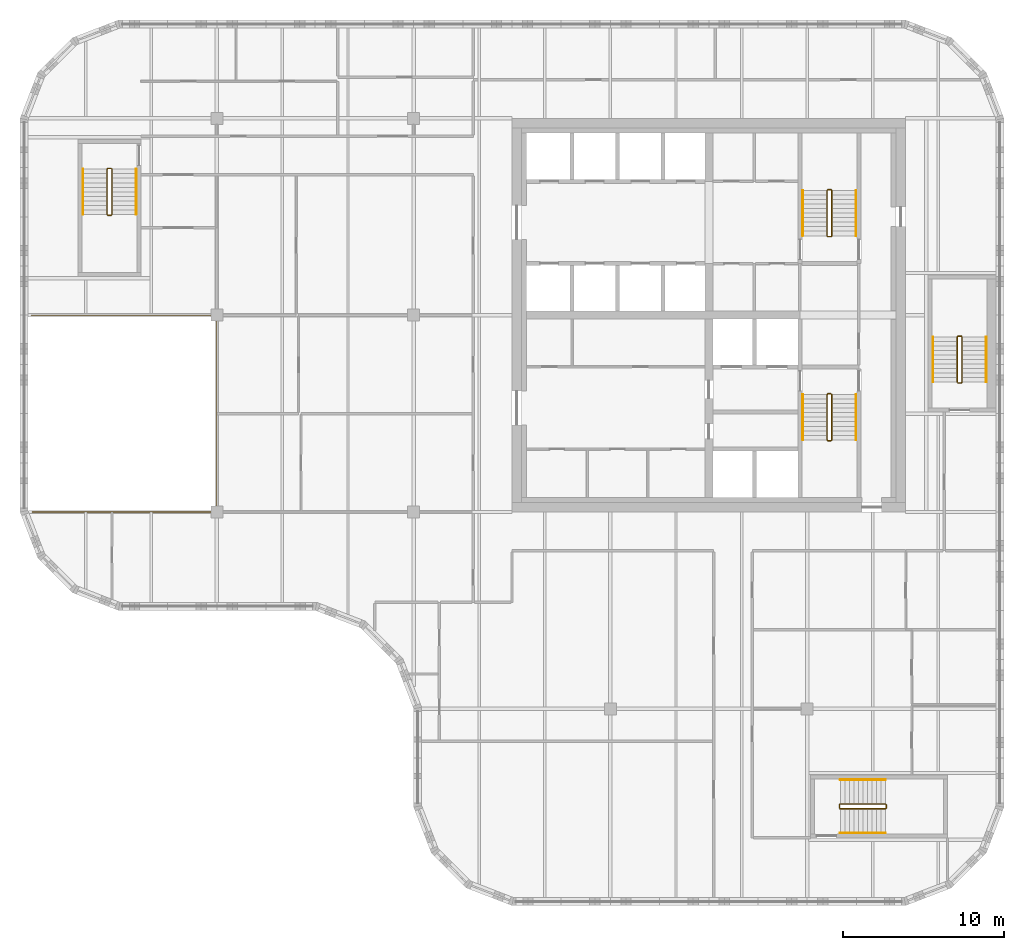
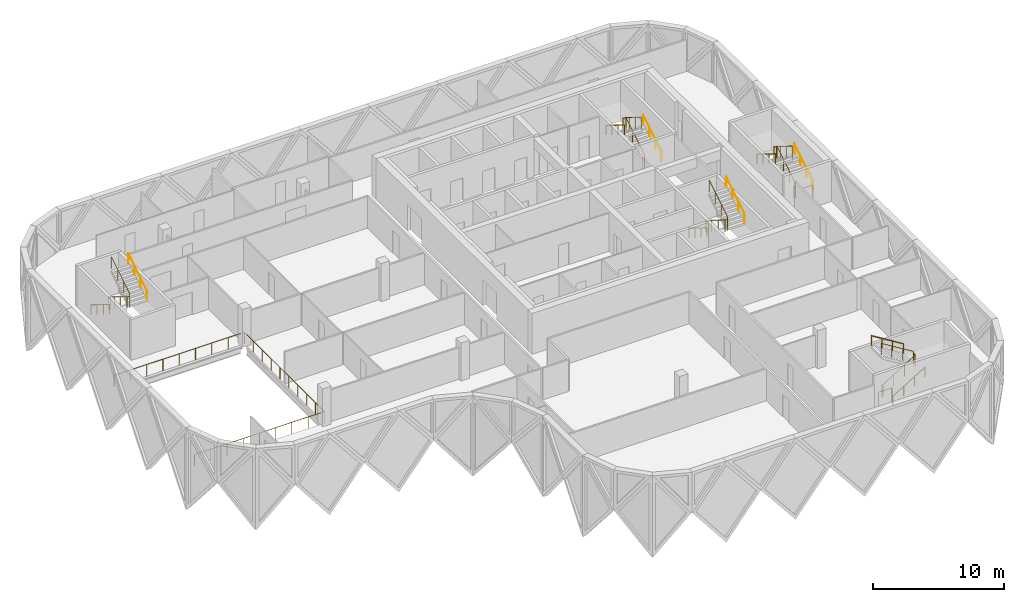
# One storey, part 15 of 15: 16 railings.
"""IFC4 building model written with IfcOpenShell, lengths in metres."""

import ifcopenshell
import ifcopenshell.guid

model = None  # the IFC model being written
_history = None  # IfcOwnerHistory: only IFC2X3 demands one
_inside = {}  # id of a spatial element -> (the spatial element, [elements in it])
_under = {}  # id of a project, library or spatial element -> (it, [spatial elements below it])
_declared = {}  # id of a project -> (the project, [libraries it declares])
_typed = {}  # id of a type object -> (the type object, [elements of that type])
_made_of = {}  # id of a material, layer set ... -> (it, [elements and type objects made of it])


def new_model(schema):
    """Start an empty IFC model of exactly this schema.

    Asked for "IFC4X3", IfcOpenShell would pick the latest addendum, in which some entities
    have other attributes; the version numbers below select the first issue.
    IFC2X3 requires an IfcOwnerHistory on every rooted entity: one is made here for all.
    """
    global model, _history
    if schema == "IFC4X3":
        model = ifcopenshell.file(schema_version=(4, 3, 0, 0))
    else:
        model = ifcopenshell.file(schema=schema)
    _inside.clear()
    _under.clear()
    _declared.clear()
    _typed.clear()
    _made_of.clear()
    _history = None
    if model.schema == "IFC2X3":
        org = make("IfcOrganization", Name="unknown")
        user = make(
            "IfcPersonAndOrganization",
            ThePerson=make("IfcPerson", FamilyName="unknown"),
            TheOrganization=org,
        )
        app = make(
            "IfcApplication",
            ApplicationDeveloper=org,
            Version="unknown",
            ApplicationFullName="unknown",
            ApplicationIdentifier="unknown",
        )
        _history = make(
            "IfcOwnerHistory",
            OwningUser=user,
            OwningApplication=app,
            ChangeAction="ADDED",
            CreationDate=0,
        )
    return model


def make(cls, **values):
    """One entity of the class cls with the attributes given. An attribute that is None is left unset."""
    return model.create_entity(
        cls, **{name: value for name, value in values.items() if value is not None}
    )


def rooted(cls, **values):
    """An entity with a GlobalId (a new one), such as an element, a storey or a relation."""
    return make(cls, GlobalId=ifcopenshell.guid.new(), OwnerHistory=_history, **values)


def si_unit(unit_type, name, prefix=None):
    """IfcSIUnit, for example si_unit("LENGTHUNIT", "METRE", prefix="MILLI")."""
    return make("IfcSIUnit", UnitType=unit_type, Prefix=prefix, Name=name)


def assignment(units):
    """IfcUnitAssignment: the units of a project."""
    return None if units is None else make("IfcUnitAssignment", Units=units)


def point(xyz):
    """IfcCartesianPoint."""
    return None if xyz is None else make("IfcCartesianPoint", Coordinates=xyz)


def direction(xyz):
    """IfcDirection."""
    return None if xyz is None else make("IfcDirection", DirectionRatios=xyz)


def frame(location, z_axis=None, x_axis=None):
    """IfcAxis2Placement3D, a coordinate frame: its origin and axes. An axis left out is left unset."""
    return make(
        "IfcAxis2Placement3D",
        Location=point(location),
        Axis=direction(z_axis),
        RefDirection=direction(x_axis),
    )


def frame_2d(location, x_axis=None):
    """IfcAxis2Placement2D, a coordinate frame in the plane: its origin and x axis."""
    return make(
        "IfcAxis2Placement2D", Location=point(location), RefDirection=direction(x_axis)
    )


def origin():
    """The frame at (0, 0, 0) with its axes left unset."""
    return frame((0.0, 0.0, 0.0))


def origin_2d():
    """The frame at (0, 0) in the plane with its x axis left unset."""
    return frame_2d((0.0, 0.0))


def place(relative_to, where):
    """IfcLocalPlacement: puts the frame where relative to a parent placement (None: the world)."""
    return make(
        "IfcLocalPlacement", PlacementRelTo=relative_to, RelativePlacement=where
    )


def context(
    kind, dimensions, precision=None, world=None, true_north=None, identifier=None
):
    """IfcGeometricRepresentationContext, for example the 3D "Model" context."""
    return make(
        "IfcGeometricRepresentationContext",
        ContextIdentifier=identifier,
        ContextType=kind,
        CoordinateSpaceDimension=dimensions,
        Precision=precision,
        WorldCoordinateSystem=world,
        TrueNorth=true_north,
    )


def subcontext(parent, identifier, kind, view, scale=None):
    """IfcGeometricRepresentationSubContext, for example "Body" below "Model"."""
    return make(
        "IfcGeometricRepresentationSubContext",
        ContextIdentifier=identifier,
        ContextType=kind,
        ParentContext=parent,
        TargetScale=scale,
        TargetView=view,
    )


def project(units=None, contexts=None):
    """IfcProject with its units and contexts."""
    return rooted(
        "IfcProject",
        Name="project",
        RepresentationContexts=contexts,
        UnitsInContext=assignment(units),
    )


def spatial(cls, under=None, at=None, **own):
    """A site, building, storey or space (cls), placed at a placement, below another one or the project."""
    s = rooted(cls, ObjectPlacement=at, **own)
    if under is not None:
        _under.setdefault(under.id(), (under, []))[1].append(s)
    return s


def profile(cls, at=None, kind="AREA", **sizes):
    """A parametric profile (cls). Its sizes go by their IFC names, for example OverallWidth=200.0."""
    return make(cls, ProfileType=kind, Position=at, **sizes)


def circle(**sizes):
    """IfcCircleProfileDef."""
    return profile("IfcCircleProfileDef", **sizes)


def extrude(swept, where, along, depth):
    """IfcExtrudedAreaSolid: the profile swept, set in the frame where, extruded along a direction by depth."""
    return make(
        "IfcExtrudedAreaSolid",
        SweptArea=swept,
        Position=where,
        ExtrudedDirection=direction(along),
        Depth=depth,
    )


def shape(context_of_items, identifier, shape_type, items):
    """IfcShapeRepresentation: the items that make up one representation, for example the "Body"."""
    return make(
        "IfcShapeRepresentation",
        ContextOfItems=context_of_items,
        RepresentationIdentifier=identifier,
        RepresentationType=shape_type,
        Items=items,
    )


def material(Name=None, Category=None):
    """IfcMaterial."""
    return make("IfcMaterial", Name=Name, Category=Category)


def made_of(thing, what):
    """Note that an element or type object is made of a material, layer set ...; save() writes the relation."""
    if what is not None:
        _made_of.setdefault(what.id(), (what, []))[1].append(thing)
    return thing


def type_object(cls, material=None, **own):
    """A type object (cls), such as IfcWallType, which elements share."""
    return made_of(rooted(cls, **own), material)


def element(
    cls,
    number,
    at=None,
    inside=None,
    cuts=None,
    type_object=None,
    material=None,
    context=None,
    identifier="Body",
    shape_type=None,
    held_by="IfcProductDefinitionShape",
    body=None,
    shapes=None,
    **own,
):
    """One element of the class cls, such as IfcWall. Its Tag is "e" and its number.

    at: its placement. inside: the storey or other place that contains it. cuts: it is an
    opening in that element (IfcRelVoidsElement). A single representation is given by context,
    identifier, shape_type and body (its items); several are given by shapes. held_by: the class
    of the entity that holds the representations. save() writes the other relations.
    """
    e = rooted(cls, Tag="e%d" % number, ObjectPlacement=at, **own)
    if body is not None:
        shapes = [shape(context, identifier, shape_type, body)]
    if shapes is not None:
        e.Representation = make(held_by, Representations=shapes)
    if inside is not None:
        _inside.setdefault(inside.id(), (inside, []))[1].append(e)
    if cuts is not None:
        rooted(
            "IfcRelVoidsElement", RelatingBuildingElement=cuts, RelatedOpeningElement=e
        )
    if type_object is not None:
        _typed.setdefault(type_object.id(), (type_object, []))[1].append(e)
    return made_of(e, material)


def aggregate(whole, parts):
    """IfcRelAggregates: a whole, such as a stair, and the parts it consists of."""
    return rooted("IfcRelAggregates", RelatingObject=whole, RelatedObjects=parts)


def save(model, path):
    """Write the relations noted so far, then the file.

    IfcRelAggregates (storeys below a building ...), IfcRelContainedInSpatialStructure (elements
    in a storey), IfcRelDefinesByType, IfcRelAssociatesMaterial and IfcRelDeclares: one each for
    every whole, place, type object, material and project.
    """
    for whole, parts in _under.values():
        aggregate(whole, parts)
    for where, things in _inside.values():
        rooted(
            "IfcRelContainedInSpatialStructure",
            RelatedElements=things,
            RelatingStructure=where,
        )
    for kind, things in _typed.values():
        rooted("IfcRelDefinesByType", RelatedObjects=things, RelatingType=kind)
    for what, things in _made_of.values():
        rooted("IfcRelAssociatesMaterial", RelatedObjects=things, RelatingMaterial=what)
    for by, libraries in _declared.values():
        rooted("IfcRelDeclares", RelatingContext=by, RelatedDefinitions=libraries)
    model.write(path)


model = new_model("IFC4")

# Units and contexts
model_context = context("Model", 3, precision=1e-05, world=origin(), true_north=direction((0.0, 1.0)))
body_context = subcontext(model_context, "Body", "Model", "MODEL_VIEW")
ifc_project = project(units=[si_unit("LENGTHUNIT", "METRE"), si_unit("AREAUNIT", "SQUARE_METRE"), si_unit("VOLUMEUNIT", "CUBIC_METRE"), si_unit("PLANEANGLEUNIT", "RADIAN"), si_unit("MASSUNIT", "GRAM", prefix="KILO")], contexts=[model_context])

# Site, building, storey
site_placement = place(None, origin())
site = spatial("IfcSite", under=ifc_project, at=site_placement, CompositionType="ELEMENT")
building_placement = place(site_placement, origin())
building = spatial("IfcBuilding", under=site, at=building_placement, Name="Tessera Gate Towers", CompositionType="ELEMENT")
storey_placement = place(building_placement, frame((0.0, 0.0, 189.60009765625)))
storey = spatial("IfcBuildingStorey", under=building, at=storey_placement, Name="L47", CompositionType="ELEMENT", Elevation=189.60009765625)

# Railings
ifc_material_1 = material(Name="Toughened glass with stainless steel handrail", Category="steel")
railing_type_1 = type_object("IfcRailingType", Name="GUARD 1100 GLASS BALUSTRADE", PredefinedType="GUARDRAIL", material=ifc_material_1)
railing_1_placement = place(storey_placement, frame((0.750244140625, 24.39990234375, 0.0)))
element("IfcRailing", 1, at=railing_1_placement, inside=storey, type_object=railing_type_1, Name="Guard", PredefinedType="GUARDRAIL", context=body_context, shape_type="SweptSolid", body=[
    extrude(circle(Radius=0.02490234375, at=origin_2d()), frame((0.0, 0.0, 1.0751953125), z_axis=(1.0, 0.0, 0.0), x_axis=(0.0, 1.0, 0.0)), (0.0, 0.0, 1.0), 11.44970703125),
    extrude(circle(Radius=0.02490234375, at=origin_2d()), frame((11.44970703125, 0.0, 1.0751953125), z_axis=(0.0, 1.0, 0.0), x_axis=(-1.0, 0.0, 0.0)), (0.0, 0.0, 1.0), 12.2001953125),
    extrude(circle(Radius=0.02490234375, at=origin_2d()), frame((11.44970703125, 12.2001953125, 1.0751953125), z_axis=(-1.0, 0.0, 0.0), x_axis=(0.0, -1.0, 0.0)), (0.0, 0.0, 1.0), 11.5),
    extrude(circle(Radius=0.02490234375, at=origin_2d()), origin(), (0.0, 0.0, 1.0), 1.050048828125),
    extrude(circle(Radius=0.02490234375, at=origin_2d()), frame((1.43115234375, 0.0, 0.0)), (0.0, 0.0, 1.0), 1.050048828125),
    extrude(circle(Radius=0.02490234375, at=origin_2d()), frame((2.8623046875, 0.0, 0.0)), (0.0, 0.0, 1.0), 1.050048828125),
    extrude(circle(Radius=0.02490234375, at=origin_2d()), frame((4.293701171875, 0.0, 0.0)), (0.0, 0.0, 1.0), 1.050048828125),
    extrude(circle(Radius=0.02490234375, at=origin_2d()), frame((5.724853515625, 0.0, 0.0)), (0.0, 0.0, 1.0), 1.050048828125),
    extrude(circle(Radius=0.02490234375, at=origin_2d()), frame((7.156005859375, 0.0, 0.0)), (0.0, 0.0, 1.0), 1.050048828125),
    extrude(circle(Radius=0.02490234375, at=origin_2d()), frame((8.58740234375, 0.0, 0.0)), (0.0, 0.0, 1.0), 1.050048828125),
    extrude(circle(Radius=0.02490234375, at=origin_2d()), frame((10.0185546875, 0.0, 0.0)), (0.0, 0.0, 1.0), 1.050048828125),
    extrude(circle(Radius=0.02490234375, at=origin_2d()), frame((11.44970703125, 0.0, 0.0)), (0.0, 0.0, 1.0), 1.050048828125),
    extrude(circle(Radius=0.02490234375, at=origin_2d()), frame((11.44970703125, 1.35546875, 0.0)), (0.0, 0.0, 1.0), 1.050048828125),
    extrude(circle(Radius=0.02490234375, at=origin_2d()), frame((11.44970703125, 2.711181640625, 0.0)), (0.0, 0.0, 1.0), 1.050048828125),
    extrude(circle(Radius=0.02490234375, at=origin_2d()), frame((11.44970703125, 4.066650390625, 0.0)), (0.0, 0.0, 1.0), 1.050048828125),
    extrude(circle(Radius=0.02490234375, at=origin_2d()), frame((11.44970703125, 5.42236328125, 0.0)), (0.0, 0.0, 1.0), 1.050048828125),
    extrude(circle(Radius=0.02490234375, at=origin_2d()), frame((11.44970703125, 6.77783203125, 0.0)), (0.0, 0.0, 1.0), 1.050048828125),
    extrude(circle(Radius=0.02490234375, at=origin_2d()), frame((11.44970703125, 8.133544921875, 0.0)), (0.0, 0.0, 1.0), 1.050048828125),
    extrude(circle(Radius=0.02490234375, at=origin_2d()), frame((11.44970703125, 9.489013671875, 0.0)), (0.0, 0.0, 1.0), 1.050048828125),
    extrude(circle(Radius=0.02490234375, at=origin_2d()), frame((11.44970703125, 10.8447265625, 0.0)), (0.0, 0.0, 1.0), 1.050048828125),
    extrude(circle(Radius=0.02490234375, at=origin_2d()), frame((11.44970703125, 12.2001953125, 0.0)), (0.0, 0.0, 1.0), 1.050048828125),
    extrude(circle(Radius=0.02490234375, at=origin_2d()), frame((10.01220703125, 12.2001953125, 0.0)), (0.0, 0.0, 1.0), 1.050048828125),
    extrude(circle(Radius=0.02490234375, at=origin_2d()), frame((8.57470703125, 12.2001953125, 0.0)), (0.0, 0.0, 1.0), 1.050048828125),
    extrude(circle(Radius=0.02490234375, at=origin_2d()), frame((7.13720703125, 12.2001953125, 0.0)), (0.0, 0.0, 1.0), 1.050048828125),
    extrude(circle(Radius=0.02490234375, at=origin_2d()), frame((5.69970703125, 12.2001953125, 0.0)), (0.0, 0.0, 1.0), 1.050048828125),
    extrude(circle(Radius=0.02490234375, at=origin_2d()), frame((4.26220703125, 12.2001953125, 0.0)), (0.0, 0.0, 1.0), 1.050048828125),
    extrude(circle(Radius=0.02490234375, at=origin_2d()), frame((2.82470703125, 12.2001953125, 0.0)), (0.0, 0.0, 1.0), 1.050048828125),
    extrude(circle(Radius=0.02490234375, at=origin_2d()), frame((1.38720703125, 12.2001953125, 0.0)), (0.0, 0.0, 1.0), 1.050048828125),
    extrude(circle(Radius=0.02490234375, at=origin_2d()), frame((-0.05029296875, 12.2001953125, 0.0)), (0.0, 0.0, 1.0), 1.050048828125),
])
ifc_material_2 = material(Name="Steel 350W", Category="steel")
railing_type_2 = type_object("IfcRailingType", Name="STAIR GUARD 1100", PredefinedType="GUARDRAIL", material=ifc_material_2)
railing_2_placement = place(storey_placement, frame((50.27490234375, 31.72509765625, 0.0)))
element("IfcRailing", 2, at=railing_2_placement, inside=storey, type_object=railing_type_2, Name="L47 ST1 stair guard 1", PredefinedType="GUARDRAIL", context=body_context, shape_type="SweptSolid", body=[
    extrude(circle(Radius=0.02392578125, at=origin_2d()), frame((0.0, 0.0, 1.076171875), z_axis=(-1.0, 0.0, 0.0), x_axis=(0.0, -1.0, 0.0)), (0.0, 0.0, 1.0), 0.199951171875),
    extrude(circle(Radius=0.02392578125, at=origin_2d()), frame((-0.199951171875, 0.0, 1.076171875), z_axis=(-0.268277960024, -0.268277960024, 0.925231793839), x_axis=(0.707106781187, -0.707106781187, 0.0)), (0.0, 0.0, 1.0), 0.1865234375),
    extrude(circle(Radius=0.02392578125, at=origin_2d()), frame((-0.25, -0.050048828125, 1.24853515625), z_axis=(0.0, -0.851089632645, 0.525020415988), x_axis=(1.0, 0.0, 0.0)), (0.0, 0.0, 1.0), 3.2900390625),
    extrude(circle(Radius=0.02392578125, at=origin_2d()), frame((-0.25, -2.85009765625, 2.97607421875), z_axis=(0.707106781187, -0.707106781187, 0.0), x_axis=(0.707106781187, 0.707106781187, 0.0)), (0.0, 0.0, 1.0), 0.07080078125),
    extrude(circle(Radius=0.02392578125, at=origin_2d()), frame((-0.199951171875, -2.900146484375, 2.97607421875), z_axis=(1.0, 0.0, 0.0), x_axis=(0.0, 1.0, 0.0)), (0.0, 0.0, 1.0), 0.199951171875),
    extrude(circle(Radius=0.02392578125, at=origin_2d()), frame((0.0, -2.900146484375, 2.97607421875), z_axis=(0.268277960024, 0.268277960024, 0.925231793839), x_axis=(-0.707106781187, 0.707106781187, 0.0)), (0.0, 0.0, 1.0), 0.1865234375),
    extrude(circle(Radius=0.02392578125, at=origin_2d()), frame((0.050048828125, -2.85009765625, 3.1484375), z_axis=(0.0, 0.851089632645, 0.525020415988), x_axis=(-1.0, 0.0, 0.0)), (0.0, 0.0, 1.0), 3.2900390625),
    extrude(circle(Radius=0.02099609375, at=origin_2d()), origin(), (0.0, 0.0, 1.0), 1.052001953125),
    extrude(circle(Radius=0.02099609375, at=origin_2d()), frame((-0.199951171875, 0.0, 0.0)), (0.0, 0.0, 1.0), 1.052001953125),
    extrude(circle(Radius=0.02099609375, at=origin_2d()), frame((-0.25, -0.050048828125, 0.172607421875)), (0.0, 0.0, 1.0), 1.052001953125),
    extrude(circle(Radius=0.02099609375, at=origin_2d()), frame((-0.25, -0.9833984375, 0.748291015625)), (0.0, 0.0, 1.0), 1.052001953125),
    extrude(circle(Radius=0.02099609375, at=origin_2d()), frame((-0.25, -1.916748046875, 1.32421875)), (0.0, 0.0, 1.0), 1.052001953125),
    extrude(circle(Radius=0.02099609375, at=origin_2d()), frame((-0.25, -2.85009765625, 1.89990234375)), (0.0, 0.0, 1.0), 1.052001953125),
    extrude(circle(Radius=0.02099609375, at=origin_2d()), frame((-0.199951171875, -2.900146484375, 1.89990234375)), (0.0, 0.0, 1.0), 1.052001953125),
    extrude(circle(Radius=0.02099609375, at=origin_2d()), frame((0.0, -2.900146484375, 1.89990234375)), (0.0, 0.0, 1.0), 1.052001953125),
    extrude(circle(Radius=0.02099609375, at=origin_2d()), frame((0.050048828125, -2.85009765625, 2.072509765625)), (0.0, 0.0, 1.0), 1.052001953125),
    extrude(circle(Radius=0.02099609375, at=origin_2d()), frame((0.050048828125, -1.916748046875, 2.648193359375)), (0.0, 0.0, 1.0), 1.052001953125),
    extrude(circle(Radius=0.02099609375, at=origin_2d()), frame((0.050048828125, -0.9833984375, 3.22412109375)), (0.0, 0.0, 1.0), 1.052001953125),
    extrude(circle(Radius=0.02099609375, at=origin_2d()), frame((0.050048828125, -0.050048828125, 3.7998046875)), (0.0, 0.0, 1.0), 1.052001953125),
])
railing_3_placement = place(storey_placement, frame((50.074951171875, 41.47509765625, 0.0)))
element("IfcRailing", 3, at=railing_3_placement, inside=storey, type_object=railing_type_2, Name="L47 ST2 stair guard 1", PredefinedType="GUARDRAIL", context=body_context, shape_type="SweptSolid", body=[
    extrude(circle(Radius=0.02392578125, at=origin_2d()), frame((0.0, 0.0, 1.076171875), z_axis=(1.0, 0.0, 0.0), x_axis=(0.0, 1.0, 0.0)), (0.0, 0.0, 1.0), 0.199951171875),
    extrude(circle(Radius=0.02392578125, at=origin_2d()), frame((0.199951171875, 0.0, 1.076171875), z_axis=(0.268371968888, 0.267062837333, 0.925556009775), x_axis=(-0.705375805398, 0.708833529934, 0.0)), (0.0, 0.0, 1.0), 0.1865234375),
    extrude(circle(Radius=0.02392578125, at=origin_2d()), frame((0.25, 0.0498046875, 1.24853515625), z_axis=(0.0, 0.851089632645, 0.525020415988), x_axis=(-1.0, 0.0, 0.0)), (0.0, 0.0, 1.0), 3.2900390625),
    extrude(circle(Radius=0.02392578125, at=origin_2d()), frame((0.25, 2.849853515625, 2.97607421875), z_axis=(-0.707106781187, 0.707106781187, 0.0), x_axis=(-0.707106781187, -0.707106781187, 0.0)), (0.0, 0.0, 1.0), 0.07080078125),
    extrude(circle(Radius=0.02392578125, at=origin_2d()), frame((0.199951171875, 2.89990234375, 2.97607421875), z_axis=(-1.0, 0.0, 0.0), x_axis=(0.0, -1.0, 0.0)), (0.0, 0.0, 1.0), 0.199951171875),
    extrude(circle(Radius=0.02392578125, at=origin_2d()), frame((0.0, 2.89990234375, 2.97607421875), z_axis=(-0.268277960024, -0.268277960024, 0.925231793839), x_axis=(0.707106781187, -0.707106781187, 0.0)), (0.0, 0.0, 1.0), 0.1865234375),
    extrude(circle(Radius=0.02392578125, at=origin_2d()), frame((-0.050048828125, 2.849853515625, 3.1484375), z_axis=(0.0, -0.851089632645, 0.525020415988), x_axis=(1.0, 0.0, 0.0)), (0.0, 0.0, 1.0), 3.2900390625),
    extrude(circle(Radius=0.02099609375, at=origin_2d()), origin(), (0.0, 0.0, 1.0), 1.052001953125),
    extrude(circle(Radius=0.02099609375, at=origin_2d()), frame((0.199951171875, 0.0, 0.0)), (0.0, 0.0, 1.0), 1.052001953125),
    extrude(circle(Radius=0.02099609375, at=origin_2d()), frame((0.25, 0.0498046875, 0.172607421875)), (0.0, 0.0, 1.0), 1.052001953125),
    extrude(circle(Radius=0.02099609375, at=origin_2d()), frame((0.25, 0.983154296875, 0.748291015625)), (0.0, 0.0, 1.0), 1.052001953125),
    extrude(circle(Radius=0.02099609375, at=origin_2d()), frame((0.25, 1.91650390625, 1.32421875)), (0.0, 0.0, 1.0), 1.052001953125),
    extrude(circle(Radius=0.02099609375, at=origin_2d()), frame((0.25, 2.849853515625, 1.89990234375)), (0.0, 0.0, 1.0), 1.052001953125),
    extrude(circle(Radius=0.02099609375, at=origin_2d()), frame((0.199951171875, 2.89990234375, 1.89990234375)), (0.0, 0.0, 1.0), 1.052001953125),
    extrude(circle(Radius=0.02099609375, at=origin_2d()), frame((0.0, 2.89990234375, 1.89990234375)), (0.0, 0.0, 1.0), 1.052001953125),
    extrude(circle(Radius=0.02099609375, at=origin_2d()), frame((-0.050048828125, 2.849853515625, 2.072509765625)), (0.0, 0.0, 1.0), 1.052001953125),
    extrude(circle(Radius=0.02099609375, at=origin_2d()), frame((-0.050048828125, 1.91650390625, 2.648193359375)), (0.0, 0.0, 1.0), 1.052001953125),
    extrude(circle(Radius=0.02099609375, at=origin_2d()), frame((-0.050048828125, 0.983154296875, 3.22412109375)), (0.0, 0.0, 1.0), 1.052001953125),
    extrude(circle(Radius=0.02099609375, at=origin_2d()), frame((-0.050048828125, 0.0498046875, 3.7998046875)), (0.0, 0.0, 1.0), 1.052001953125),
])
railing_4_placement = place(storey_placement, frame((5.64990234375, 45.699951171875, 0.0)))
element("IfcRailing", 4, at=railing_4_placement, inside=storey, type_object=railing_type_2, Name="L47 ST3 stair guard 1", PredefinedType="GUARDRAIL", context=body_context, shape_type="SweptSolid", body=[
    extrude(circle(Radius=0.02392578125, at=origin_2d()), frame((0.0, 0.0, 1.076171875), z_axis=(-1.0, 0.0, 0.0), x_axis=(0.0, -1.0, 0.0)), (0.0, 0.0, 1.0), 0.199951171875),
    extrude(circle(Radius=0.02392578125, at=origin_2d()), frame((-0.199951171875, 0.0, 1.076171875), z_axis=(-0.268277960024, -0.268277960024, 0.925231793839), x_axis=(0.707106781187, -0.707106781187, 0.0)), (0.0, 0.0, 1.0), 0.1865234375),
    extrude(circle(Radius=0.02392578125, at=origin_2d()), frame((-0.25, -0.050048828125, 1.24853515625), z_axis=(0.0, -0.851069175582, 0.525053576669), x_axis=(1.0, 0.0, 0.0)), (0.0, 0.0, 1.0), 3.289794921875),
    extrude(circle(Radius=0.02392578125, at=origin_2d()), frame((-0.25, -2.849853515625, 2.97607421875), z_axis=(0.707106781187, -0.707106781187, 0.0), x_axis=(0.707106781187, 0.707106781187, 0.0)), (0.0, 0.0, 1.0), 0.07080078125),
    extrude(circle(Radius=0.02392578125, at=origin_2d()), frame((-0.199951171875, -2.89990234375, 2.97607421875), z_axis=(1.0, 0.0, 0.0), x_axis=(0.0, 1.0, 0.0)), (0.0, 0.0, 1.0), 0.199951171875),
    extrude(circle(Radius=0.02392578125, at=origin_2d()), frame((0.0, -2.89990234375, 2.97607421875), z_axis=(0.268277960024, 0.268277960024, 0.925231793839), x_axis=(-0.707106781187, 0.707106781187, 0.0)), (0.0, 0.0, 1.0), 0.1865234375),
    extrude(circle(Radius=0.02392578125, at=origin_2d()), frame((0.050048828125, -2.849853515625, 3.1484375), z_axis=(0.0, 0.851069175582, 0.525053576669), x_axis=(-1.0, 0.0, 0.0)), (0.0, 0.0, 1.0), 3.289794921875),
    extrude(circle(Radius=0.02099609375, at=origin_2d()), origin(), (0.0, 0.0, 1.0), 1.052001953125),
    extrude(circle(Radius=0.02099609375, at=origin_2d()), frame((-0.199951171875, 0.0, 0.0)), (0.0, 0.0, 1.0), 1.052001953125),
    extrude(circle(Radius=0.02099609375, at=origin_2d()), frame((-0.25, -0.050048828125, 0.172607421875)), (0.0, 0.0, 1.0), 1.052001953125),
    extrude(circle(Radius=0.02099609375, at=origin_2d()), frame((-0.25, -0.9833984375, 0.748291015625)), (0.0, 0.0, 1.0), 1.052001953125),
    extrude(circle(Radius=0.02099609375, at=origin_2d()), frame((-0.25, -1.91650390625, 1.32421875)), (0.0, 0.0, 1.0), 1.052001953125),
    extrude(circle(Radius=0.02099609375, at=origin_2d()), frame((-0.25, -2.849853515625, 1.89990234375)), (0.0, 0.0, 1.0), 1.052001953125),
    extrude(circle(Radius=0.02099609375, at=origin_2d()), frame((-0.199951171875, -2.89990234375, 1.89990234375)), (0.0, 0.0, 1.0), 1.052001953125),
    extrude(circle(Radius=0.02099609375, at=origin_2d()), frame((0.0, -2.89990234375, 1.89990234375)), (0.0, 0.0, 1.0), 1.052001953125),
    extrude(circle(Radius=0.02099609375, at=origin_2d()), frame((0.050048828125, -2.849853515625, 2.072509765625)), (0.0, 0.0, 1.0), 1.052001953125),
    extrude(circle(Radius=0.02099609375, at=origin_2d()), frame((0.050048828125, -1.91650390625, 2.648193359375)), (0.0, 0.0, 1.0), 1.052001953125),
    extrude(circle(Radius=0.02099609375, at=origin_2d()), frame((0.050048828125, -0.9833984375, 3.22412109375)), (0.0, 0.0, 1.0), 1.052001953125),
    extrude(circle(Radius=0.02099609375, at=origin_2d()), frame((0.050048828125, -0.050048828125, 3.7998046875)), (0.0, 0.0, 1.0), 1.052001953125),
])
railing_5_placement = place(storey_placement, frame((50.800048828125, 6.25, 0.0)))
element("IfcRailing", 5, at=railing_5_placement, inside=storey, type_object=railing_type_2, Name="L47 ST4 stair guard 1", PredefinedType="GUARDRAIL", context=body_context, shape_type="SweptSolid", body=[
    extrude(circle(Radius=0.02392578125, at=origin_2d()), frame((0.0, 0.0, 1.076171875), z_axis=(0.0, -1.0, 0.0), x_axis=(1.0, 0.0, 0.0)), (0.0, 0.0, 1.0), 0.199951171875),
    extrude(circle(Radius=0.02392578125, at=origin_2d()), frame((0.0, -0.199951171875, 1.076171875), z_axis=(0.268277960024, -0.268277960024, 0.925231793839), x_axis=(0.707106781187, 0.707106781187, 0.0)), (0.0, 0.0, 1.0), 0.1865234375),
    extrude(circle(Radius=0.02392578125, at=origin_2d()), frame((0.050048828125, -0.25, 1.24853515625), z_axis=(0.851069175582, 0.0, 0.525053576669), x_axis=(0.0, 1.0, 0.0)), (0.0, 0.0, 1.0), 3.289794921875),
    extrude(circle(Radius=0.02392578125, at=origin_2d()), frame((2.849853515625, -0.25, 2.97607421875), z_axis=(0.707106781187, 0.707106781187, 0.0), x_axis=(-0.707106781187, 0.707106781187, 0.0)), (0.0, 0.0, 1.0), 0.07080078125),
    extrude(circle(Radius=0.02392578125, at=origin_2d()), frame((2.89990234375, -0.199951171875, 2.97607421875), z_axis=(0.0, 1.0, 0.0), x_axis=(-1.0, 0.0, 0.0)), (0.0, 0.0, 1.0), 0.199951171875),
    extrude(circle(Radius=0.02392578125, at=origin_2d()), frame((2.89990234375, 0.0, 2.97607421875), z_axis=(-0.268277960024, 0.268277960024, 0.925231793839), x_axis=(-0.707106781187, -0.707106781187, 0.0)), (0.0, 0.0, 1.0), 0.1865234375),
    extrude(circle(Radius=0.02392578125, at=origin_2d()), frame((2.849853515625, 0.050048828125, 3.1484375), z_axis=(-0.851069175582, 0.0, 0.525053576669), x_axis=(0.0, -1.0, 0.0)), (0.0, 0.0, 1.0), 3.289794921875),
    extrude(circle(Radius=0.02099609375, at=origin_2d()), origin(), (0.0, 0.0, 1.0), 1.052001953125),
    extrude(circle(Radius=0.02099609375, at=origin_2d()), frame((0.0, -0.199951171875, 0.0)), (0.0, 0.0, 1.0), 1.052001953125),
    extrude(circle(Radius=0.02099609375, at=origin_2d()), frame((0.050048828125, -0.25, 0.172607421875)), (0.0, 0.0, 1.0), 1.052001953125),
    extrude(circle(Radius=0.02099609375, at=origin_2d()), frame((0.9833984375, -0.25, 0.748291015625)), (0.0, 0.0, 1.0), 1.052001953125),
    extrude(circle(Radius=0.02099609375, at=origin_2d()), frame((1.91650390625, -0.25, 1.32421875)), (0.0, 0.0, 1.0), 1.052001953125),
    extrude(circle(Radius=0.02099609375, at=origin_2d()), frame((2.849853515625, -0.25, 1.89990234375)), (0.0, 0.0, 1.0), 1.052001953125),
    extrude(circle(Radius=0.02099609375, at=origin_2d()), frame((2.89990234375, -0.199951171875, 1.89990234375)), (0.0, 0.0, 1.0), 1.052001953125),
    extrude(circle(Radius=0.02099609375, at=origin_2d()), frame((2.89990234375, 0.0, 1.89990234375)), (0.0, 0.0, 1.0), 1.052001953125),
    extrude(circle(Radius=0.02099609375, at=origin_2d()), frame((2.849853515625, 0.050048828125, 2.072509765625)), (0.0, 0.0, 1.0), 1.052001953125),
    extrude(circle(Radius=0.02099609375, at=origin_2d()), frame((1.91650390625, 0.050048828125, 2.648193359375)), (0.0, 0.0, 1.0), 1.052001953125),
    extrude(circle(Radius=0.02099609375, at=origin_2d()), frame((0.9833984375, 0.050048828125, 3.22412109375)), (0.0, 0.0, 1.0), 1.052001953125),
    extrude(circle(Radius=0.02099609375, at=origin_2d()), frame((0.050048828125, 0.050048828125, 3.7998046875)), (0.0, 0.0, 1.0), 1.052001953125),
])
railing_6_placement = place(storey_placement, frame((58.14990234375, 32.39990234375, 0.0)))
element("IfcRailing", 6, at=railing_6_placement, inside=storey, type_object=railing_type_2, Name="L47 ST5 stair guard 1", PredefinedType="GUARDRAIL", context=body_context, shape_type="SweptSolid", body=[
    extrude(circle(Radius=0.02392578125, at=origin_2d()), frame((0.0, 0.0, 1.076171875), z_axis=(1.0, 0.0, 0.0), x_axis=(0.0, 1.0, 0.0)), (0.0, 0.0, 1.0), 0.2001953125),
    extrude(circle(Radius=0.02392578125, at=origin_2d()), frame((0.2001953125, 0.0, 1.076171875), z_axis=(0.267062837333, 0.268371968888, 0.925556009775), x_axis=(-0.708833529934, 0.705375805398, 0.0)), (0.0, 0.0, 1.0), 0.1865234375),
    extrude(circle(Radius=0.02392578125, at=origin_2d()), frame((0.25, 0.050048828125, 1.24853515625), z_axis=(0.0, 0.851089632645, 0.525020415988), x_axis=(-1.0, 0.0, 0.0)), (0.0, 0.0, 1.0), 3.2900390625),
    extrude(circle(Radius=0.02392578125, at=origin_2d()), frame((0.25, 2.85009765625, 2.97607421875), z_axis=(-0.705375805398, 0.708833529934, 0.0), x_axis=(-0.708833529934, -0.705375805398, 0.0)), (0.0, 0.0, 1.0), 0.070556640625),
    extrude(circle(Radius=0.02392578125, at=origin_2d()), frame((0.2001953125, 2.900146484375, 2.97607421875), z_axis=(-1.0, 0.0, 0.0), x_axis=(0.0, -1.0, 0.0)), (0.0, 0.0, 1.0), 0.2001953125),
    extrude(circle(Radius=0.02392578125, at=origin_2d()), frame((0.0, 2.900146484375, 2.97607421875), z_axis=(-0.267062837333, -0.268371968888, 0.925556009775), x_axis=(0.708833529934, -0.705375805398, 0.0)), (0.0, 0.0, 1.0), 0.1865234375),
    extrude(circle(Radius=0.02392578125, at=origin_2d()), frame((-0.0498046875, 2.85009765625, 3.1484375), z_axis=(0.0, -0.851089632645, 0.525020415988), x_axis=(1.0, 0.0, 0.0)), (0.0, 0.0, 1.0), 3.2900390625),
    extrude(circle(Radius=0.02099609375, at=origin_2d()), origin(), (0.0, 0.0, 1.0), 1.052001953125),
    extrude(circle(Radius=0.02099609375, at=origin_2d()), frame((0.2001953125, 0.0, 0.0)), (0.0, 0.0, 1.0), 1.052001953125),
    extrude(circle(Radius=0.02099609375, at=origin_2d()), frame((0.25, 0.050048828125, 0.172607421875)), (0.0, 0.0, 1.0), 1.052001953125),
    extrude(circle(Radius=0.02099609375, at=origin_2d()), frame((0.25, 0.9833984375, 0.748291015625)), (0.0, 0.0, 1.0), 1.052001953125),
    extrude(circle(Radius=0.02099609375, at=origin_2d()), frame((0.25, 1.916748046875, 1.32421875)), (0.0, 0.0, 1.0), 1.052001953125),
    extrude(circle(Radius=0.02099609375, at=origin_2d()), frame((0.25, 2.85009765625, 1.89990234375)), (0.0, 0.0, 1.0), 1.052001953125),
    extrude(circle(Radius=0.02099609375, at=origin_2d()), frame((0.2001953125, 2.900146484375, 1.89990234375)), (0.0, 0.0, 1.0), 1.052001953125),
    extrude(circle(Radius=0.02099609375, at=origin_2d()), frame((0.0, 2.900146484375, 1.89990234375)), (0.0, 0.0, 1.0), 1.052001953125),
    extrude(circle(Radius=0.02099609375, at=origin_2d()), frame((-0.0498046875, 2.85009765625, 2.072509765625)), (0.0, 0.0, 1.0), 1.052001953125),
    extrude(circle(Radius=0.02099609375, at=origin_2d()), frame((-0.0498046875, 1.916748046875, 2.648193359375)), (0.0, 0.0, 1.0), 1.052001953125),
    extrude(circle(Radius=0.02099609375, at=origin_2d()), frame((-0.0498046875, 0.9833984375, 3.22412109375)), (0.0, 0.0, 1.0), 1.052001953125),
    extrude(circle(Radius=0.02099609375, at=origin_2d()), frame((-0.0498046875, 0.050048828125, 3.7998046875)), (0.0, 0.0, 1.0), 1.052001953125),
])
ifc_material_3 = material(Name="Steel 350W", Category="steel")
railing_type_3 = type_object("IfcRailingType", Name="STAIR HANDRAIL 900", PredefinedType="HANDRAIL", material=ifc_material_3)
railing_7_placement = place(storey_placement, frame((48.52490234375, 31.675048828125, 0.172607421875)))
element("IfcRailing", 7, at=railing_7_placement, inside=storey, type_object=railing_type_3, Name="L47 ST1 stair handrail 1", PredefinedType="HANDRAIL", context=body_context, shape_type="SweptSolid", body=[
    extrude(circle(Radius=0.02392578125, at=origin_2d()), frame((0.0, 0.0, 0.8759765625), z_axis=(0.0, -0.851089632645, 0.525020415988), x_axis=(1.0, 0.0, 0.0)), (0.0, 0.0, 1.0), 3.2900390625),
    extrude(circle(Radius=0.02099609375, at=origin_2d()), origin(), (0.0, 0.0, 1.0), 0.851806640625),
    extrude(circle(Radius=0.02099609375, at=origin_2d()), frame((0.0, -0.933349609375, 0.57568359375)), (0.0, 0.0, 1.0), 0.851806640625),
    extrude(circle(Radius=0.02099609375, at=origin_2d()), frame((0.0, -1.86669921875, 1.151611328125)), (0.0, 0.0, 1.0), 0.851806640625),
    extrude(circle(Radius=0.02099609375, at=origin_2d()), frame((0.0, -2.800048828125, 1.727294921875)), (0.0, 0.0, 1.0), 0.851806640625),
])
for number, where, name in (
    (8, (51.824951171875, 28.875, 2.072509765625), "L47 ST1 stair handrail 2"),
    (9, (51.824951171875, 41.52490234375, 0.172607421875), "L47 ST2 stair handrail 1"),
):
    element("IfcRailing", number, at=place(storey_placement, frame(where)), inside=storey, type_object=railing_type_3, Name=name, PredefinedType="HANDRAIL", context=body_context, shape_type="SweptSolid", body=[
        extrude(circle(Radius=0.02392578125, at=origin_2d()), frame((0.0, 0.0, 0.8759765625), z_axis=(0.0, 0.851089632645, 0.525020415988), x_axis=(-1.0, 0.0, 0.0)), (0.0, 0.0, 1.0), 3.2900390625),
        extrude(circle(Radius=0.02099609375, at=origin_2d()), origin(), (0.0, 0.0, 1.0), 0.851806640625),
        extrude(circle(Radius=0.02099609375, at=origin_2d()), frame((0.0, 0.933349609375, 0.57568359375)), (0.0, 0.0, 1.0), 0.851806640625),
        extrude(circle(Radius=0.02099609375, at=origin_2d()), frame((0.0, 1.86669921875, 1.151611328125)), (0.0, 0.0, 1.0), 0.851806640625),
        extrude(circle(Radius=0.02099609375, at=origin_2d()), frame((0.0, 2.800048828125, 1.727294921875)), (0.0, 0.0, 1.0), 0.851806640625),
    ])
railing_8_placement = place(storey_placement, frame((48.52490234375, 44.324951171875, 2.072509765625)))
element("IfcRailing", 10, at=railing_8_placement, inside=storey, type_object=railing_type_3, Name="L47 ST2 stair handrail 2", PredefinedType="HANDRAIL", context=body_context, shape_type="SweptSolid", body=[
    extrude(circle(Radius=0.02392578125, at=origin_2d()), frame((0.0, 0.0, 0.8759765625), z_axis=(0.0, -0.851089632645, 0.525020415988), x_axis=(1.0, 0.0, 0.0)), (0.0, 0.0, 1.0), 3.2900390625),
    extrude(circle(Radius=0.02099609375, at=origin_2d()), origin(), (0.0, 0.0, 1.0), 0.851806640625),
    extrude(circle(Radius=0.02099609375, at=origin_2d()), frame((0.0, -0.933349609375, 0.57568359375)), (0.0, 0.0, 1.0), 0.851806640625),
    extrude(circle(Radius=0.02099609375, at=origin_2d()), frame((0.0, -1.86669921875, 1.151611328125)), (0.0, 0.0, 1.0), 0.851806640625),
    extrude(circle(Radius=0.02099609375, at=origin_2d()), frame((0.0, -2.800048828125, 1.727294921875)), (0.0, 0.0, 1.0), 0.851806640625),
])
railing_9_placement = place(storey_placement, frame((3.89990234375, 45.64990234375, 0.172607421875)))
element("IfcRailing", 11, at=railing_9_placement, inside=storey, type_object=railing_type_3, Name="L47 ST3 stair handrail 1", PredefinedType="HANDRAIL", context=body_context, shape_type="SweptSolid", body=[
    extrude(circle(Radius=0.02392578125, at=origin_2d()), frame((0.0, 0.0, 0.8759765625), z_axis=(0.0, -0.851069175582, 0.525053576669), x_axis=(1.0, 0.0, 0.0)), (0.0, 0.0, 1.0), 3.289794921875),
    extrude(circle(Radius=0.02099609375, at=origin_2d()), origin(), (0.0, 0.0, 1.0), 0.851806640625),
    extrude(circle(Radius=0.02099609375, at=origin_2d()), frame((0.0, -0.933349609375, 0.57568359375)), (0.0, 0.0, 1.0), 0.851806640625),
    extrude(circle(Radius=0.02099609375, at=origin_2d()), frame((0.0, -1.866455078125, 1.151611328125)), (0.0, 0.0, 1.0), 0.851806640625),
    extrude(circle(Radius=0.02099609375, at=origin_2d()), frame((0.0, -2.7998046875, 1.727294921875)), (0.0, 0.0, 1.0), 0.851806640625),
])
railing_10_placement = place(storey_placement, frame((7.199951171875, 42.85009765625, 2.072509765625)))
element("IfcRailing", 12, at=railing_10_placement, inside=storey, type_object=railing_type_3, Name="L47 ST3 stair handrail 2", PredefinedType="HANDRAIL", context=body_context, shape_type="SweptSolid", body=[
    extrude(circle(Radius=0.02392578125, at=origin_2d()), frame((0.0, 0.0, 0.8759765625), z_axis=(0.0, 0.851069175582, 0.525053576669), x_axis=(-1.0, 0.0, 0.0)), (0.0, 0.0, 1.0), 3.289794921875),
    extrude(circle(Radius=0.02099609375, at=origin_2d()), origin(), (0.0, 0.0, 1.0), 0.851806640625),
    extrude(circle(Radius=0.02099609375, at=origin_2d()), frame((0.0, 0.933349609375, 0.57568359375)), (0.0, 0.0, 1.0), 0.851806640625),
    extrude(circle(Radius=0.02099609375, at=origin_2d()), frame((0.0, 1.866455078125, 1.151611328125)), (0.0, 0.0, 1.0), 0.851806640625),
    extrude(circle(Radius=0.02099609375, at=origin_2d()), frame((0.0, 2.7998046875, 1.727294921875)), (0.0, 0.0, 1.0), 0.851806640625),
])
railing_11_placement = place(storey_placement, frame((50.85009765625, 4.5, 0.172607421875)))
element("IfcRailing", 13, at=railing_11_placement, inside=storey, type_object=railing_type_3, Name="L47 ST4 stair handrail 1", PredefinedType="HANDRAIL", context=body_context, shape_type="SweptSolid", body=[
    extrude(circle(Radius=0.02392578125, at=origin_2d()), frame((0.0, 0.0, 0.8759765625), z_axis=(0.851069175582, 0.0, 0.525053576669), x_axis=(0.0, 1.0, 0.0)), (0.0, 0.0, 1.0), 3.289794921875),
    extrude(circle(Radius=0.02099609375, at=origin_2d()), origin(), (0.0, 0.0, 1.0), 0.851806640625),
    extrude(circle(Radius=0.02099609375, at=origin_2d()), frame((0.933349609375, 0.0, 0.57568359375)), (0.0, 0.0, 1.0), 0.851806640625),
    extrude(circle(Radius=0.02099609375, at=origin_2d()), frame((1.866455078125, 0.0, 1.151611328125)), (0.0, 0.0, 1.0), 0.851806640625),
    extrude(circle(Radius=0.02099609375, at=origin_2d()), frame((2.7998046875, 0.0, 1.727294921875)), (0.0, 0.0, 1.0), 0.851806640625),
])
railing_12_placement = place(storey_placement, frame((53.64990234375, 7.800048828125, 2.072509765625)))
element("IfcRailing", 14, at=railing_12_placement, inside=storey, type_object=railing_type_3, Name="L47 ST4 stair handrail 2", PredefinedType="HANDRAIL", context=body_context, shape_type="SweptSolid", body=[
    extrude(circle(Radius=0.02392578125, at=origin_2d()), frame((0.0, 0.0, 0.8759765625), z_axis=(-0.851069175582, 0.0, 0.525053576669), x_axis=(0.0, -1.0, 0.0)), (0.0, 0.0, 1.0), 3.289794921875),
    extrude(circle(Radius=0.02099609375, at=origin_2d()), origin(), (0.0, 0.0, 1.0), 0.851806640625),
    extrude(circle(Radius=0.02099609375, at=origin_2d()), frame((-0.933349609375, 0.0, 0.57568359375)), (0.0, 0.0, 1.0), 0.851806640625),
    extrude(circle(Radius=0.02099609375, at=origin_2d()), frame((-1.866455078125, 0.0, 1.151611328125)), (0.0, 0.0, 1.0), 0.851806640625),
    extrude(circle(Radius=0.02099609375, at=origin_2d()), frame((-2.7998046875, 0.0, 1.727294921875)), (0.0, 0.0, 1.0), 0.851806640625),
])
railing_13_placement = place(storey_placement, frame((59.89990234375, 32.449951171875, 0.172607421875)))
element("IfcRailing", 15, at=railing_13_placement, inside=storey, type_object=railing_type_3, Name="L47 ST5 stair handrail 1", PredefinedType="HANDRAIL", context=body_context, shape_type="SweptSolid", body=[
    extrude(circle(Radius=0.02392578125, at=origin_2d()), frame((0.0, 0.0, 0.8759765625), z_axis=(0.0, 0.851089632645, 0.525020415988), x_axis=(-1.0, 0.0, 0.0)), (0.0, 0.0, 1.0), 3.2900390625),
    extrude(circle(Radius=0.02099609375, at=origin_2d()), origin(), (0.0, 0.0, 1.0), 0.851806640625),
    extrude(circle(Radius=0.02099609375, at=origin_2d()), frame((0.0, 0.933349609375, 0.57568359375)), (0.0, 0.0, 1.0), 0.851806640625),
    extrude(circle(Radius=0.02099609375, at=origin_2d()), frame((0.0, 1.86669921875, 1.151611328125)), (0.0, 0.0, 1.0), 0.851806640625),
    extrude(circle(Radius=0.02099609375, at=origin_2d()), frame((0.0, 2.800048828125, 1.727294921875)), (0.0, 0.0, 1.0), 0.851806640625),
])
railing_14_placement = place(storey_placement, frame((56.60009765625, 35.25, 2.072509765625)))
element("IfcRailing", 16, at=railing_14_placement, inside=storey, type_object=railing_type_3, Name="L47 ST5 stair handrail 2", PredefinedType="HANDRAIL", context=body_context, shape_type="SweptSolid", body=[
    extrude(circle(Radius=0.02392578125, at=origin_2d()), frame((0.0, 0.0, 0.8759765625), z_axis=(0.0, -0.851089632645, 0.525020415988), x_axis=(1.0, 0.0, 0.0)), (0.0, 0.0, 1.0), 3.2900390625),
    extrude(circle(Radius=0.02099609375, at=origin_2d()), origin(), (0.0, 0.0, 1.0), 0.851806640625),
    extrude(circle(Radius=0.02099609375, at=origin_2d()), frame((0.0, -0.933349609375, 0.57568359375)), (0.0, 0.0, 1.0), 0.851806640625),
    extrude(circle(Radius=0.02099609375, at=origin_2d()), frame((0.0, -1.86669921875, 1.151611328125)), (0.0, 0.0, 1.0), 0.851806640625),
    extrude(circle(Radius=0.02099609375, at=origin_2d()), frame((0.0, -2.800048828125, 1.727294921875)), (0.0, 0.0, 1.0), 0.851806640625),
])

save(model, "model.ifc")
